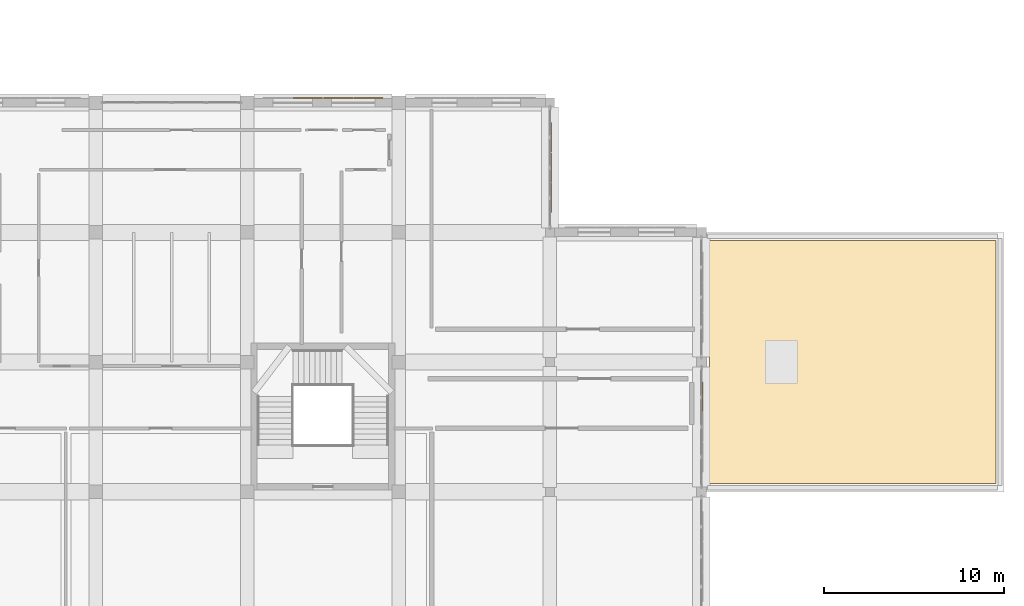
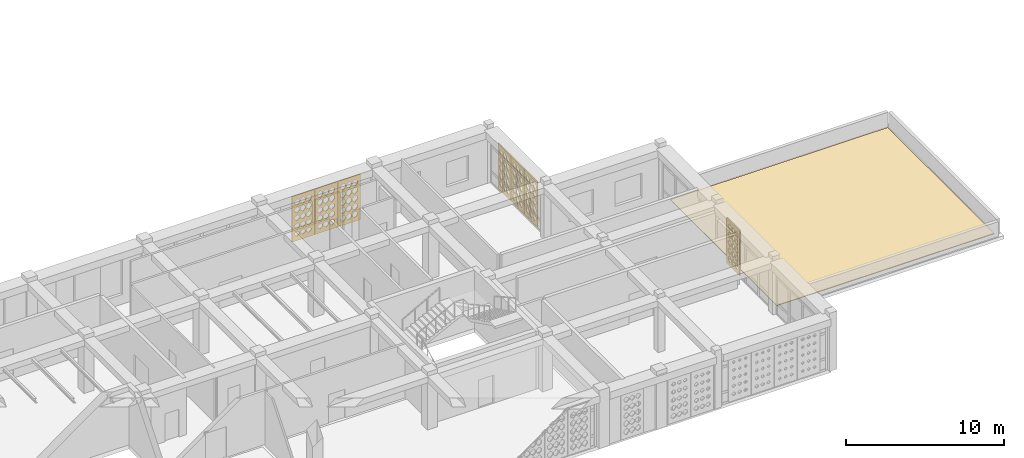
# One storey, part 108 of 111: 8 coverings.
"""IFC4 building model written with IfcOpenShell, lengths in metres."""

from ifc_helpers import new_model, si_unit, derived_unit, direction, frame, origin, place, context, subcontext, project, spatial, polyline, outline, extrude, material, layer, layer_set, type_object, element, save


model = new_model("IFC4")

# Units and contexts
model_context = context("Model", 3, precision=1e-05, world=origin(), true_north=direction((0.0, 1.0)))
body_context = subcontext(model_context, "Body", "Model", "MODEL_VIEW")
ifc_project = project(units=[si_unit("LENGTHUNIT", "METRE"), si_unit("AREAUNIT", "SQUARE_METRE"), si_unit("VOLUMEUNIT", "CUBIC_METRE"), si_unit("PLANEANGLEUNIT", "RADIAN"), si_unit("MASSUNIT", "GRAM", prefix="KILO"), derived_unit("THERMALTRANSMITTANCEUNIT", [(si_unit("POWERUNIT", "WATT"), 1), (si_unit("LENGTHUNIT", "METRE"), -2), (si_unit("THERMODYNAMICTEMPERATUREUNIT", "KELVIN"), -1)])], contexts=[model_context])

# Site, building, storey
site_placement = place(None, origin())
site = spatial("IfcSite", under=ifc_project, at=site_placement, CompositionType="ELEMENT")
building_placement = place(site_placement, origin())
building = spatial("IfcBuilding", under=site, at=building_placement, Name="Veybourne Emporium", CompositionType="ELEMENT")
storey_placement = place(building_placement, frame((0.0, 0.0, 9.89990234375)))
storey = spatial("IfcBuildingStorey", under=building, at=storey_placement, Name="L02", CompositionType="ELEMENT", Elevation=9.89990234375)

# Coverings
ifc_material_1 = material(Name="Single-Ply Warm Roof Membrane", Category="membrane")
ifc_layer_1 = layer(ifc_material_1, 0.06005859375)
ifc_layer_set_1 = layer_set([ifc_layer_1], Name="Single-Ply Warm Roof Membrane")
covering_type_1 = type_object("IfcCoveringType", Name="Roofing_RFG-01", PredefinedType="ROOFING", material=ifc_layer_set_1)
covering_1_placement = place(storey_placement, origin())
element("IfcCovering", 1, at=covering_1_placement, inside=storey, type_object=covering_type_1, Name="L02 warm-roof waterproofing membrane 3.1", PredefinedType="ROOFING", context=body_context, shape_type="SweptSolid", body=[
    extrude(outline(polyline([(151.64990234375, 7.64990234375), (151.64990234375, 21.14990234375), (167.550048828125, 21.14990234375), (167.550048828125, 7.64990234375), (151.64990234375, 7.64990234375)])), origin(), (0.0, 0.0, 1.0), 0.06005859375),
])
ifc_material_2 = material(Name="Warm-White Perforated Aluminium Screen Alloy", Category="aluminium")
ifc_layer_2 = layer(ifc_material_2, 0.06005859375)
ifc_layer_set_2 = layer_set([ifc_layer_2], Name="Warm-White Perforated Aluminium Screen Alloy")
covering_type_2 = type_object("IfcCoveringType", Name="WaveScreen_SCR-01", PredefinedType="CLADDING", material=ifc_layer_set_2)
covering_2_placement = place(storey_placement, frame((129.360107421875, 29.09814453125, 1.815185546875), z_axis=(0.0, -1.0, 0.0), x_axis=(1.0, 0.0, 0.0)))
element("IfcCovering", 2, at=covering_2_placement, inside=storey, type_object=covering_type_2, Name="L02 wave-perforated aluminium screen SCR-01 (68.2)", PredefinedType="CLADDING", context=body_context, shape_type="SweptSolid", body=[
    extrude(outline(polyline([(-0.81982421875, -1.7548828125), (0.81982421875, -1.7548828125), (0.81982421875, 1.7548828125), (-0.81982421875, 1.7548828125), (-0.81982421875, -1.7548828125)]), holes=[polyline([(-0.433349609375, -1.038818359375), (-0.2685546875, -1.159912109375), (-0.2685546875, -1.296142578125), (-0.433349609375, -1.417236328125), (-0.59814453125, -1.296142578125), (-0.59814453125, -1.159912109375), (-0.433349609375, -1.038818359375)]), polyline([(-0.433349609375, -0.41064453125), (-0.257080078125, -0.540771484375), (-0.257080078125, -0.687255859375), (-0.433349609375, -0.8173828125), (-0.609619140625, -0.687255859375), (-0.609619140625, -0.540771484375), (-0.433349609375, -0.41064453125)]), polyline([(-0.433349609375, 0.217041015625), (-0.2470703125, 0.078125), (-0.2470703125, -0.078125), (-0.433349609375, -0.217041015625), (-0.61962890625, -0.078125), (-0.61962890625, 0.078125), (-0.433349609375, 0.217041015625)]), polyline([(-0.433349609375, 0.84423828125), (-0.2470703125, 0.697021484375), (-0.2470703125, 0.531005859375), (-0.433349609375, 0.3837890625), (-0.61962890625, 0.531005859375), (-0.61962890625, 0.697021484375), (-0.433349609375, 0.84423828125)]), polyline([(-0.433349609375, 1.47021484375), (-0.2470703125, 1.315185546875), (-0.2470703125, 1.140869140625), (-0.433349609375, 0.98583984375), (-0.61962890625, 1.140869140625), (-0.61962890625, 1.315185546875), (-0.433349609375, 1.47021484375)]), polyline([(0.0, -1.032470703125), (0.169921875, -1.15771484375), (0.169921875, -1.29833984375), (0.0, -1.423583984375), (-0.169921875, -1.29833984375), (-0.169921875, -1.15771484375), (0.0, -1.032470703125)]), polyline([(0.0, -0.404296875), (0.181396484375, -0.53857421875), (0.181396484375, -0.689453125), (0.0, -0.823486328125), (-0.181396484375, -0.689453125), (-0.181396484375, -0.53857421875), (0.0, -0.404296875)]), polyline([(0.0, 0.22314453125), (0.186279296875, 0.080322265625), (0.186279296875, -0.080322265625), (0.0, -0.22314453125), (-0.186279296875, -0.080322265625), (-0.186279296875, 0.080322265625), (0.0, 0.22314453125)]), polyline([(0.0, 0.849853515625), (0.186279296875, 0.698974609375), (0.186279296875, 0.529052734375), (0.0, 0.378173828125), (-0.186279296875, 0.529052734375), (-0.186279296875, 0.698974609375), (0.0, 0.849853515625)]), polyline([(0.0, 1.47509765625), (0.186279296875, 1.31689453125), (0.186279296875, 1.138916015625), (0.0, 0.980712890625), (-0.186279296875, 1.138916015625), (-0.186279296875, 1.31689453125), (0.0, 1.47509765625)]), polyline([(0.433349609375, -1.02587890625), (0.608642578125, -1.1552734375), (0.608642578125, -1.30078125), (0.433349609375, -1.429931640625), (0.258056640625, -1.30078125), (0.258056640625, -1.1552734375), (0.433349609375, -1.02587890625)]), polyline([(0.433349609375, -0.398193359375), (0.61962890625, -0.536376953125), (0.61962890625, -0.691650390625), (0.433349609375, -0.829833984375), (0.2470703125, -0.691650390625), (0.2470703125, -0.536376953125), (0.433349609375, -0.398193359375)]), polyline([(0.433349609375, 0.22900390625), (0.61962890625, 0.08251953125), (0.61962890625, -0.08251953125), (0.433349609375, -0.22900390625), (0.2470703125, -0.08251953125), (0.2470703125, 0.08251953125), (0.433349609375, 0.22900390625)]), polyline([(0.433349609375, 0.855224609375), (0.61962890625, 0.70068359375), (0.61962890625, 0.527099609375), (0.433349609375, 0.372802734375), (0.2470703125, 0.527099609375), (0.2470703125, 0.70068359375), (0.433349609375, 0.855224609375)]), polyline([(0.433349609375, 1.47998046875), (0.61962890625, 1.318603515625), (0.61962890625, 1.13720703125), (0.433349609375, 0.97607421875), (0.2470703125, 1.13720703125), (0.2470703125, 1.318603515625), (0.433349609375, 1.47998046875)])]), origin(), (0.0, 0.0, 1.0), 0.06005859375),
])
ifc_layer_3 = layer(ifc_material_2, 0.06005859375)
ifc_layer_set_3 = layer_set([ifc_layer_3], Name="Warm-White Perforated Aluminium Screen Alloy")
covering_type_3 = type_object("IfcCoveringType", Name="WaveScreen_SCR-02", PredefinedType="CLADDING", material=ifc_layer_set_3)
covering_3_placement = place(storey_placement, frame((131.0400390625, 29.09814453125, 1.815185546875), z_axis=(0.0, -1.0, 0.0), x_axis=(1.0, 0.0, 0.0)))
element("IfcCovering", 3, at=covering_3_placement, inside=storey, type_object=covering_type_3, Name="L02 wave-perforated aluminium screen SCR-02 (68.3)", PredefinedType="CLADDING", context=body_context, shape_type="SweptSolid", body=[
    extrude(outline(polyline([(-0.81982421875, -1.7548828125), (0.81982421875, -1.7548828125), (0.81982421875, 1.7548828125), (-0.81982421875, 1.7548828125), (-0.81982421875, -1.7548828125)]), holes=[polyline([(-0.433349609375, -1.01416015625), (-0.248291015625, -1.15087890625), (-0.248291015625, -1.304931640625), (-0.433349609375, -1.44189453125), (-0.618408203125, -1.304931640625), (-0.618408203125, -1.15087890625), (-0.433349609375, -1.01416015625)]), polyline([(-0.433349609375, -0.38671875), (-0.2470703125, -0.5322265625), (-0.2470703125, -0.69580078125), (-0.433349609375, -0.84130859375), (-0.61962890625, -0.69580078125), (-0.61962890625, -0.5322265625), (-0.433349609375, -0.38671875)]), polyline([(-0.433349609375, 0.239501953125), (-0.2470703125, 0.086181640625), (-0.2470703125, -0.086181640625), (-0.433349609375, -0.239501953125), (-0.61962890625, -0.086181640625), (-0.61962890625, 0.086181640625), (-0.433349609375, 0.239501953125)]), polyline([(-0.433349609375, 0.864501953125), (-0.2470703125, 0.7041015625), (-0.2470703125, 0.52392578125), (-0.433349609375, 0.363525390625), (-0.61962890625, 0.52392578125), (-0.61962890625, 0.7041015625), (-0.433349609375, 0.864501953125)]), polyline([(-0.433349609375, 1.487548828125), (-0.2470703125, 1.321533203125), (-0.2470703125, 1.134521484375), (-0.433349609375, 0.968505859375), (-0.61962890625, 1.134521484375), (-0.61962890625, 1.321533203125), (-0.433349609375, 1.487548828125)]), polyline([(0.0, -1.008056640625), (0.186279296875, -1.148681640625), (0.186279296875, -1.30712890625), (0.0, -1.447998046875), (-0.186279296875, -1.30712890625), (-0.186279296875, -1.148681640625), (0.0, -1.008056640625)]), polyline([(0.0, -0.381103515625), (0.186279296875, -0.5302734375), (0.186279296875, -0.69775390625), (0.0, -0.846923828125), (-0.186279296875, -0.69775390625), (-0.186279296875, -0.5302734375), (0.0, -0.381103515625)]), polyline([(0.0, 0.24462890625), (0.186279296875, 0.088134765625), (0.186279296875, -0.088134765625), (0.0, -0.24462890625), (-0.186279296875, -0.088134765625), (-0.186279296875, 0.088134765625), (0.0, 0.24462890625)]), polyline([(0.0, 0.868896484375), (0.186279296875, 0.705810546875), (0.186279296875, 0.522216796875), (0.0, 0.359130859375), (-0.186279296875, 0.522216796875), (-0.186279296875, 0.705810546875), (0.0, 0.868896484375)]), polyline([(0.0, 1.4912109375), (0.186279296875, 1.32275390625), (0.186279296875, 1.13330078125), (0.0, 0.96484375), (-0.186279296875, 1.13330078125), (-0.186279296875, 1.32275390625), (0.0, 1.4912109375)]), polyline([(0.433349609375, -1.001953125), (0.61962890625, -1.146484375), (0.61962890625, -1.309326171875), (0.433349609375, -1.4541015625), (0.2470703125, -1.309326171875), (0.2470703125, -1.146484375), (0.433349609375, -1.001953125)]), polyline([(0.433349609375, -0.37548828125), (0.61962890625, -0.5283203125), (0.61962890625, -0.69970703125), (0.433349609375, -0.852294921875), (0.2470703125, -0.69970703125), (0.2470703125, -0.5283203125), (0.433349609375, -0.37548828125)]), polyline([(0.433349609375, 0.24951171875), (0.61962890625, 0.08984375), (0.61962890625, -0.08984375), (0.433349609375, -0.24951171875), (0.2470703125, -0.08984375), (0.2470703125, 0.08984375), (0.433349609375, 0.24951171875)]), polyline([(0.433349609375, 0.872802734375), (0.61962890625, 0.707275390625), (0.61962890625, 0.520751953125), (0.433349609375, 0.355224609375), (0.2470703125, 0.520751953125), (0.2470703125, 0.707275390625), (0.433349609375, 0.872802734375)]), polyline([(0.433349609375, 1.491943359375), (0.61962890625, 1.322998046875), (0.61962890625, 1.133056640625), (0.433349609375, 0.964111328125), (0.2470703125, 1.133056640625), (0.2470703125, 1.322998046875), (0.433349609375, 1.491943359375)])]), origin(), (0.0, 0.0, 1.0), 0.06005859375),
])
covering_4_placement = place(storey_placement, frame((142.89306640625, 26.8798828125, 1.815185546875), z_axis=(-1.0, 0.0, 0.0), x_axis=(0.0, -1.0, 0.0)))
element("IfcCovering", 4, at=covering_4_placement, inside=storey, type_object=covering_type_3, Name="L02 wave-perforated aluminium screen SCR-02 (70C.1)", PredefinedType="CLADDING", context=body_context, shape_type="SweptSolid", body=[
    extrude(outline(polyline([(-0.81982421875, -1.7548828125), (0.81982421875, -1.7548828125), (0.81982421875, 1.7548828125), (-0.81982421875, 1.7548828125), (-0.81982421875, -1.7548828125)]), holes=[polyline([(-0.433349609375, -0.966552734375), (-0.2470703125, -1.1337890625), (-0.2470703125, -1.322021484375), (-0.433349609375, -1.489501953125), (-0.61962890625, -1.322021484375), (-0.61962890625, -1.1337890625), (-0.433349609375, -0.966552734375)]), polyline([(-0.433349609375, -0.361328125), (-0.2470703125, -0.52294921875), (-0.2470703125, -0.705078125), (-0.433349609375, -0.86669921875), (-0.61962890625, -0.705078125), (-0.61962890625, -0.52294921875), (-0.433349609375, -0.361328125)]), polyline([(-0.433349609375, 0.2421875), (-0.2470703125, 0.087158203125), (-0.2470703125, -0.087158203125), (-0.433349609375, -0.2421875), (-0.61962890625, -0.087158203125), (-0.61962890625, 0.087158203125), (-0.433349609375, 0.2421875)]), polyline([(-0.433349609375, 0.843994140625), (-0.2470703125, 0.69677734375), (-0.2470703125, 0.53125), (-0.433349609375, 0.3837890625), (-0.61962890625, 0.53125), (-0.61962890625, 0.69677734375), (-0.433349609375, 0.843994140625)]), polyline([(-0.433349609375, 1.445068359375), (-0.2470703125, 1.30615234375), (-0.2470703125, 1.14990234375), (-0.433349609375, 1.010986328125), (-0.61962890625, 1.14990234375), (-0.61962890625, 1.30615234375), (-0.433349609375, 1.445068359375)]), polyline([(0.0, -0.964111328125), (0.186279296875, -1.133056640625), (0.186279296875, -1.322998046875), (0.0, -1.491943359375), (-0.186279296875, -1.322998046875), (-0.186279296875, -1.133056640625), (0.0, -0.964111328125)]), polyline([(0.0, -0.357177734375), (0.186279296875, -0.521484375), (0.186279296875, -0.70654296875), (0.0, -0.870849609375), (-0.186279296875, -0.70654296875), (-0.186279296875, -0.521484375), (0.0, -0.357177734375)]), polyline([(0.0, 0.2470703125), (0.186279296875, 0.089111328125), (0.186279296875, -0.089111328125), (0.0, -0.2470703125), (-0.186279296875, -0.089111328125), (-0.186279296875, 0.089111328125), (0.0, 0.2470703125)]), polyline([(0.0, 0.849609375), (0.186279296875, 0.698974609375), (0.186279296875, 0.529052734375), (0.0, 0.37841796875), (-0.186279296875, 0.529052734375), (-0.186279296875, 0.698974609375), (0.0, 0.849609375)]), polyline([(0.0, 1.451171875), (0.186279296875, 1.308349609375), (0.186279296875, 1.147705078125), (0.0, 1.0048828125), (-0.186279296875, 1.147705078125), (-0.186279296875, 1.308349609375), (0.0, 1.451171875)]), polyline([(0.433349609375, -0.964111328125), (0.61962890625, -1.133056640625), (0.61962890625, -1.322998046875), (0.433349609375, -1.491943359375), (0.2470703125, -1.322998046875), (0.2470703125, -1.133056640625), (0.433349609375, -0.964111328125)]), polyline([(0.433349609375, -0.353271484375), (0.61962890625, -0.52001953125), (0.61962890625, -0.7080078125), (0.433349609375, -0.874755859375), (0.2470703125, -0.7080078125), (0.2470703125, -0.52001953125), (0.433349609375, -0.353271484375)]), polyline([(0.433349609375, 0.251708984375), (0.61962890625, 0.090576171875), (0.61962890625, -0.090576171875), (0.433349609375, -0.251708984375), (0.2470703125, -0.090576171875), (0.2470703125, 0.090576171875), (0.433349609375, 0.251708984375)]), polyline([(0.433349609375, 0.85498046875), (0.61962890625, 0.70068359375), (0.61962890625, 0.527099609375), (0.433349609375, 0.372802734375), (0.2470703125, 0.527099609375), (0.2470703125, 0.70068359375), (0.433349609375, 0.85498046875)]), polyline([(0.433349609375, 1.45703125), (0.61962890625, 1.310302734375), (0.61962890625, 1.1455078125), (0.433349609375, 0.9990234375), (0.2470703125, 1.1455078125), (0.2470703125, 1.310302734375), (0.433349609375, 1.45703125)])]), origin(), (0.0, 0.0, 1.0), 0.06005859375),
])
covering_5_placement = place(storey_placement, frame((151.297119140625, 12.47998046875, 1.815185546875), z_axis=(-1.0, 0.0, 0.0), x_axis=(0.0, -1.0, 0.0)))
element("IfcCovering", 5, at=covering_5_placement, inside=storey, type_object=covering_type_3, Name="L02 wave-perforated aluminium screen SCR-02 (74C.1)", PredefinedType="CLADDING", context=body_context, shape_type="SweptSolid", body=[
    extrude(outline(polyline([(-0.81982421875, -1.7548828125), (0.81982421875, -1.7548828125), (0.81982421875, 1.7548828125), (-0.81982421875, 1.7548828125), (-0.81982421875, -1.7548828125)]), holes=[polyline([(-0.433349609375, -0.964111328125), (-0.2470703125, -1.133056640625), (-0.2470703125, -1.322998046875), (-0.433349609375, -1.491943359375), (-0.61962890625, -1.322998046875), (-0.61962890625, -1.133056640625), (-0.433349609375, -0.964111328125)]), polyline([(-0.433349609375, -0.35009765625), (-0.2470703125, -0.51904296875), (-0.2470703125, -0.708984375), (-0.433349609375, -0.8779296875), (-0.61962890625, -0.708984375), (-0.61962890625, -0.51904296875), (-0.433349609375, -0.35009765625)]), polyline([(-0.433349609375, 0.263916015625), (-0.2470703125, 0.094970703125), (-0.2470703125, -0.094970703125), (-0.433349609375, -0.263916015625), (-0.61962890625, -0.094970703125), (-0.61962890625, 0.094970703125), (-0.433349609375, 0.263916015625)]), polyline([(-0.433349609375, 0.8779296875), (-0.2470703125, 0.708984375), (-0.2470703125, 0.51904296875), (-0.433349609375, 0.35009765625), (-0.61962890625, 0.51904296875), (-0.61962890625, 0.708984375), (-0.433349609375, 0.8779296875)]), polyline([(-0.433349609375, 1.491943359375), (-0.2470703125, 1.322998046875), (-0.2470703125, 1.133056640625), (-0.433349609375, 0.964111328125), (-0.61962890625, 1.133056640625), (-0.61962890625, 1.322998046875), (-0.433349609375, 1.491943359375)]), polyline([(0.0, -0.96630859375), (0.186279296875, -1.1337890625), (0.186279296875, -1.322265625), (0.0, -1.48974609375), (-0.186279296875, -1.322265625), (-0.186279296875, -1.1337890625), (0.0, -0.96630859375)]), polyline([(0.0, -0.35009765625), (0.186279296875, -0.51904296875), (0.186279296875, -0.708984375), (0.0, -0.8779296875), (-0.186279296875, -0.708984375), (-0.186279296875, -0.51904296875), (0.0, -0.35009765625)]), polyline([(0.0, 0.263916015625), (0.186279296875, 0.094970703125), (0.186279296875, -0.094970703125), (0.0, -0.263916015625), (-0.186279296875, -0.094970703125), (-0.186279296875, 0.094970703125), (0.0, 0.263916015625)]), polyline([(0.0, 0.8779296875), (0.186279296875, 0.708984375), (0.186279296875, 0.51904296875), (0.0, 0.35009765625), (-0.186279296875, 0.51904296875), (-0.186279296875, 0.708984375), (0.0, 0.8779296875)]), polyline([(0.0, 1.491943359375), (0.186279296875, 1.322998046875), (0.186279296875, 1.133056640625), (0.0, 0.964111328125), (-0.186279296875, 1.133056640625), (-0.186279296875, 1.322998046875), (0.0, 1.491943359375)]), polyline([(0.433349609375, -0.969970703125), (0.61962890625, -1.135009765625), (0.61962890625, -1.32080078125), (0.433349609375, -1.486083984375), (0.2470703125, -1.32080078125), (0.2470703125, -1.135009765625), (0.433349609375, -0.969970703125)]), polyline([(0.433349609375, -0.35009765625), (0.61962890625, -0.51904296875), (0.61962890625, -0.708984375), (0.433349609375, -0.8779296875), (0.2470703125, -0.708984375), (0.2470703125, -0.51904296875), (0.433349609375, -0.35009765625)]), polyline([(0.433349609375, 0.263916015625), (0.61962890625, 0.094970703125), (0.61962890625, -0.094970703125), (0.433349609375, -0.263916015625), (0.2470703125, -0.094970703125), (0.2470703125, 0.094970703125), (0.433349609375, 0.263916015625)]), polyline([(0.433349609375, 0.8779296875), (0.61962890625, 0.708984375), (0.61962890625, 0.51904296875), (0.433349609375, 0.35009765625), (0.2470703125, 0.51904296875), (0.2470703125, 0.708984375), (0.433349609375, 0.8779296875)]), polyline([(0.433349609375, 1.491943359375), (0.61962890625, 1.322998046875), (0.61962890625, 1.133056640625), (0.433349609375, 0.964111328125), (0.2470703125, 1.133056640625), (0.2470703125, 1.322998046875), (0.433349609375, 1.491943359375)])]), origin(), (0.0, 0.0, 1.0), 0.06005859375),
])
ifc_layer_4 = layer(ifc_material_2, 0.06005859375)
ifc_layer_set_4 = layer_set([ifc_layer_4], Name="Warm-White Perforated Aluminium Screen Alloy")
covering_type_4 = type_object("IfcCoveringType", Name="WaveScreen_SCR-03", PredefinedType="CLADDING", material=ifc_layer_set_4)
covering_6_placement = place(storey_placement, frame((132.719970703125, 29.09814453125, 1.815185546875), z_axis=(0.0, -1.0, 0.0), x_axis=(1.0, 0.0, 0.0)))
element("IfcCovering", 6, at=covering_6_placement, inside=storey, type_object=covering_type_4, Name="L02 wave-perforated aluminium screen SCR-03 (68.4)", PredefinedType="CLADDING", context=body_context, shape_type="SweptSolid", body=[
    extrude(outline(polyline([(-0.81982421875, -1.7548828125), (0.81982421875, -1.7548828125), (0.81982421875, 1.7548828125), (-0.81982421875, 1.7548828125), (-0.81982421875, -1.7548828125)]), holes=[polyline([(-0.433349609375, -0.991455078125), (-0.2470703125, -1.142822265625), (-0.2470703125, -1.313232421875), (-0.433349609375, -1.464599609375), (-0.61962890625, -1.313232421875), (-0.61962890625, -1.142822265625), (-0.433349609375, -0.991455078125)]), polyline([(-0.433349609375, -0.3662109375), (-0.2470703125, -0.52490234375), (-0.2470703125, -0.703125), (-0.433349609375, -0.86181640625), (-0.61962890625, -0.703125), (-0.61962890625, -0.52490234375), (-0.433349609375, -0.3662109375)]), polyline([(-0.433349609375, 0.257568359375), (-0.2470703125, 0.0927734375), (-0.2470703125, -0.0927734375), (-0.433349609375, -0.257568359375), (-0.61962890625, -0.0927734375), (-0.61962890625, 0.0927734375), (-0.433349609375, 0.257568359375)]), polyline([(-0.433349609375, 0.8779296875), (-0.2470703125, 0.708984375), (-0.2470703125, 0.51904296875), (-0.433349609375, 0.35009765625), (-0.61962890625, 0.51904296875), (-0.61962890625, 0.708984375), (-0.433349609375, 0.8779296875)]), polyline([(-0.433349609375, 1.491943359375), (-0.2470703125, 1.322998046875), (-0.2470703125, 1.133056640625), (-0.433349609375, 0.964111328125), (-0.61962890625, 1.133056640625), (-0.61962890625, 1.322998046875), (-0.433349609375, 1.491943359375)]), polyline([(0.0, -0.986083984375), (0.186279296875, -1.140869140625), (0.186279296875, -1.315185546875), (0.0, -1.469970703125), (-0.186279296875, -1.315185546875), (-0.186279296875, -1.140869140625), (0.0, -0.986083984375)]), polyline([(0.0, -0.361572265625), (0.186279296875, -0.523193359375), (0.186279296875, -0.704833984375), (0.0, -0.866455078125), (-0.186279296875, -0.704833984375), (-0.186279296875, -0.523193359375), (0.0, -0.361572265625)]), polyline([(0.0, 0.26123046875), (0.186279296875, 0.093994140625), (0.186279296875, -0.093994140625), (0.0, -0.26123046875), (-0.186279296875, -0.093994140625), (-0.186279296875, 0.093994140625), (0.0, 0.26123046875)]), polyline([(0.0, 0.8779296875), (0.186279296875, 0.708984375), (0.186279296875, 0.51904296875), (0.0, 0.35009765625), (-0.186279296875, 0.51904296875), (-0.186279296875, 0.708984375), (0.0, 0.8779296875)]), polyline([(0.0, 1.491943359375), (0.186279296875, 1.322998046875), (0.186279296875, 1.133056640625), (0.0, 0.964111328125), (-0.186279296875, 1.133056640625), (-0.186279296875, 1.322998046875), (0.0, 1.491943359375)]), polyline([(0.433349609375, -0.981201171875), (0.61962890625, -1.13916015625), (0.61962890625, -1.31689453125), (0.433349609375, -1.474853515625), (0.2470703125, -1.31689453125), (0.2470703125, -1.13916015625), (0.433349609375, -0.981201171875)]), polyline([(0.433349609375, -0.357421875), (0.61962890625, -0.521484375), (0.61962890625, -0.706298828125), (0.433349609375, -0.87060546875), (0.2470703125, -0.706298828125), (0.2470703125, -0.521484375), (0.433349609375, -0.357421875)]), polyline([(0.433349609375, 0.263916015625), (0.61962890625, 0.094970703125), (0.61962890625, -0.094970703125), (0.433349609375, -0.263916015625), (0.2470703125, -0.094970703125), (0.2470703125, 0.094970703125), (0.433349609375, 0.263916015625)]), polyline([(0.433349609375, 0.8779296875), (0.61962890625, 0.708984375), (0.61962890625, 0.51904296875), (0.433349609375, 0.35009765625), (0.2470703125, 0.51904296875), (0.2470703125, 0.708984375), (0.433349609375, 0.8779296875)]), polyline([(0.433349609375, 1.491943359375), (0.61962890625, 1.322998046875), (0.61962890625, 1.133056640625), (0.433349609375, 0.964111328125), (0.2470703125, 1.133056640625), (0.2470703125, 1.322998046875), (0.433349609375, 1.491943359375)])]), origin(), (0.0, 0.0, 1.0), 0.06005859375),
])
covering_7_placement = place(storey_placement, frame((142.89306640625, 25.199951171875, 1.815185546875), z_axis=(-1.0, 0.0, 0.0), x_axis=(0.0, -1.0, 0.0)))
element("IfcCovering", 7, at=covering_7_placement, inside=storey, type_object=covering_type_4, Name="L02 wave-perforated aluminium screen SCR-03 (70C.2)", PredefinedType="CLADDING", context=body_context, shape_type="SweptSolid", body=[
    extrude(outline(polyline([(-0.81982421875, -1.7548828125), (0.81982421875, -1.7548828125), (0.81982421875, 1.7548828125), (-0.81982421875, 1.7548828125), (-0.81982421875, -1.7548828125)]), holes=[polyline([(-0.433349609375, -0.964111328125), (-0.2470703125, -1.133056640625), (-0.2470703125, -1.322998046875), (-0.433349609375, -1.491943359375), (-0.61962890625, -1.322998046875), (-0.61962890625, -1.133056640625), (-0.433349609375, -0.964111328125)]), polyline([(-0.433349609375, -0.35009765625), (-0.2470703125, -0.51904296875), (-0.2470703125, -0.708984375), (-0.433349609375, -0.8779296875), (-0.61962890625, -0.708984375), (-0.61962890625, -0.51904296875), (-0.433349609375, -0.35009765625)]), polyline([(-0.433349609375, 0.259521484375), (-0.2470703125, 0.093505859375), (-0.2470703125, -0.093505859375), (-0.433349609375, -0.259521484375), (-0.61962890625, -0.093505859375), (-0.61962890625, 0.093505859375), (-0.433349609375, 0.259521484375)]), polyline([(-0.433349609375, 0.8642578125), (-0.2470703125, 0.7041015625), (-0.2470703125, 0.52392578125), (-0.433349609375, 0.36376953125), (-0.61962890625, 0.52392578125), (-0.61962890625, 0.7041015625), (-0.433349609375, 0.8642578125)]), polyline([(-0.433349609375, 1.46728515625), (-0.2470703125, 1.314208984375), (-0.2470703125, 1.141845703125), (-0.433349609375, 0.988525390625), (-0.61962890625, 1.141845703125), (-0.61962890625, 1.314208984375), (-0.433349609375, 1.46728515625)]), polyline([(0.0, -0.964111328125), (0.186279296875, -1.133056640625), (0.186279296875, -1.322998046875), (0.0, -1.491943359375), (-0.186279296875, -1.322998046875), (-0.186279296875, -1.133056640625), (0.0, -0.964111328125)]), polyline([(0.0, -0.35009765625), (0.186279296875, -0.51904296875), (0.186279296875, -0.708984375), (0.0, -0.8779296875), (-0.186279296875, -0.708984375), (-0.186279296875, -0.51904296875), (0.0, -0.35009765625)]), polyline([(0.0, 0.26318359375), (0.186279296875, 0.0947265625), (0.186279296875, -0.0947265625), (0.0, -0.26318359375), (-0.186279296875, -0.0947265625), (-0.186279296875, 0.0947265625), (0.0, 0.26318359375)]), polyline([(0.0, 0.86865234375), (0.186279296875, 0.705810546875), (0.186279296875, 0.522216796875), (0.0, 0.359375), (-0.186279296875, 0.522216796875), (-0.186279296875, 0.705810546875), (0.0, 0.86865234375)]), polyline([(0.0, 1.472412109375), (0.186279296875, 1.31591796875), (0.186279296875, 1.139892578125), (0.0, 0.9833984375), (-0.186279296875, 1.139892578125), (-0.186279296875, 1.31591796875), (0.0, 1.472412109375)]), polyline([(0.433349609375, -0.964111328125), (0.61962890625, -1.133056640625), (0.61962890625, -1.322998046875), (0.433349609375, -1.491943359375), (0.2470703125, -1.322998046875), (0.2470703125, -1.133056640625), (0.433349609375, -0.964111328125)]), polyline([(0.433349609375, -0.35009765625), (0.61962890625, -0.51904296875), (0.61962890625, -0.708984375), (0.433349609375, -0.8779296875), (0.2470703125, -0.708984375), (0.2470703125, -0.51904296875), (0.433349609375, -0.35009765625)]), polyline([(0.433349609375, 0.263916015625), (0.61962890625, 0.094970703125), (0.61962890625, -0.094970703125), (0.433349609375, -0.263916015625), (0.2470703125, -0.094970703125), (0.2470703125, 0.094970703125), (0.433349609375, 0.263916015625)]), polyline([(0.433349609375, 0.872802734375), (0.61962890625, 0.70703125), (0.61962890625, 0.52099609375), (0.433349609375, 0.355224609375), (0.2470703125, 0.52099609375), (0.2470703125, 0.70703125), (0.433349609375, 0.872802734375)]), polyline([(0.433349609375, 1.477294921875), (0.61962890625, 1.31787109375), (0.61962890625, 1.13818359375), (0.433349609375, 0.978759765625), (0.2470703125, 1.13818359375), (0.2470703125, 1.31787109375), (0.433349609375, 1.477294921875)])]), origin(), (0.0, 0.0, 1.0), 0.06005859375),
])
ifc_layer_5 = layer(ifc_material_2, 0.06005859375)
ifc_layer_set_5 = layer_set([ifc_layer_5], Name="Warm-White Perforated Aluminium Screen Alloy")
covering_type_5 = type_object("IfcCoveringType", Name="WaveScreen_SCR-04", PredefinedType="CLADDING", material=ifc_layer_set_5)
covering_8_placement = place(storey_placement, frame((142.89306640625, 23.52001953125, 1.815185546875), z_axis=(-1.0, 0.0, 0.0), x_axis=(0.0, -1.0, 0.0)))
element("IfcCovering", 8, at=covering_8_placement, inside=storey, type_object=covering_type_5, Name="L02 wave-perforated aluminium screen SCR-04 (70C.3)", PredefinedType="CLADDING", context=body_context, shape_type="SweptSolid", body=[
    extrude(outline(polyline([(-0.81982421875, -1.7548828125), (0.81982421875, -1.7548828125), (0.81982421875, 1.7548828125), (-0.81982421875, 1.7548828125), (-0.81982421875, -1.7548828125)]), holes=[polyline([(-0.433349609375, -0.964111328125), (-0.2470703125, -1.133056640625), (-0.2470703125, -1.322998046875), (-0.433349609375, -1.491943359375), (-0.61962890625, -1.322998046875), (-0.61962890625, -1.133056640625), (-0.433349609375, -0.964111328125)]), polyline([(-0.433349609375, -0.35009765625), (-0.2470703125, -0.51904296875), (-0.2470703125, -0.708984375), (-0.433349609375, -0.8779296875), (-0.61962890625, -0.708984375), (-0.61962890625, -0.51904296875), (-0.433349609375, -0.35009765625)]), polyline([(-0.433349609375, 0.263916015625), (-0.2470703125, 0.094970703125), (-0.2470703125, -0.094970703125), (-0.433349609375, -0.263916015625), (-0.61962890625, -0.094970703125), (-0.61962890625, 0.094970703125), (-0.433349609375, 0.263916015625)]), polyline([(-0.433349609375, 0.8779296875), (-0.2470703125, 0.708984375), (-0.2470703125, 0.51904296875), (-0.433349609375, 0.35009765625), (-0.61962890625, 0.51904296875), (-0.61962890625, 0.708984375), (-0.433349609375, 0.8779296875)]), polyline([(-0.433349609375, 1.485595703125), (-0.2470703125, 1.32080078125), (-0.2470703125, 1.13525390625), (-0.433349609375, 0.970458984375), (-0.61962890625, 1.13525390625), (-0.61962890625, 1.32080078125), (-0.433349609375, 1.485595703125)]), polyline([(0.0, -0.964111328125), (0.186279296875, -1.133056640625), (0.186279296875, -1.322998046875), (0.0, -1.491943359375), (-0.186279296875, -1.322998046875), (-0.186279296875, -1.133056640625), (0.0, -0.964111328125)]), polyline([(0.0, -0.35009765625), (0.186279296875, -0.51904296875), (0.186279296875, -0.708984375), (0.0, -0.8779296875), (-0.186279296875, -0.708984375), (-0.186279296875, -0.51904296875), (0.0, -0.35009765625)]), polyline([(0.0, 0.263916015625), (0.186279296875, 0.094970703125), (0.186279296875, -0.094970703125), (0.0, -0.263916015625), (-0.186279296875, -0.094970703125), (-0.186279296875, 0.094970703125), (0.0, 0.263916015625)]), polyline([(0.0, 0.8779296875), (0.186279296875, 0.708984375), (0.186279296875, 0.51904296875), (0.0, 0.35009765625), (-0.186279296875, 0.51904296875), (-0.186279296875, 0.708984375), (0.0, 0.8779296875)]), polyline([(0.0, 1.4892578125), (0.186279296875, 1.322021484375), (0.186279296875, 1.134033203125), (0.0, 0.966796875), (-0.186279296875, 1.134033203125), (-0.186279296875, 1.322021484375), (0.0, 1.4892578125)]), polyline([(0.433349609375, -0.964111328125), (0.61962890625, -1.133056640625), (0.61962890625, -1.322998046875), (0.433349609375, -1.491943359375), (0.2470703125, -1.322998046875), (0.2470703125, -1.133056640625), (0.433349609375, -0.964111328125)]), polyline([(0.433349609375, -0.35009765625), (0.61962890625, -0.51904296875), (0.61962890625, -0.708984375), (0.433349609375, -0.8779296875), (0.2470703125, -0.708984375), (0.2470703125, -0.51904296875), (0.433349609375, -0.35009765625)]), polyline([(0.433349609375, 0.263916015625), (0.61962890625, 0.094970703125), (0.61962890625, -0.094970703125), (0.433349609375, -0.263916015625), (0.2470703125, -0.094970703125), (0.2470703125, 0.094970703125), (0.433349609375, 0.263916015625)]), polyline([(0.433349609375, 0.8779296875), (0.61962890625, 0.708984375), (0.61962890625, 0.51904296875), (0.433349609375, 0.35009765625), (0.2470703125, 0.51904296875), (0.2470703125, 0.708984375), (0.433349609375, 0.8779296875)]), polyline([(0.433349609375, 1.491943359375), (0.61962890625, 1.322998046875), (0.61962890625, 1.133056640625), (0.433349609375, 0.964111328125), (0.2470703125, 1.133056640625), (0.2470703125, 1.322998046875), (0.433349609375, 1.491943359375)])]), origin(), (0.0, 0.0, 1.0), 0.06005859375),
])

save(model, "model.ifc")
